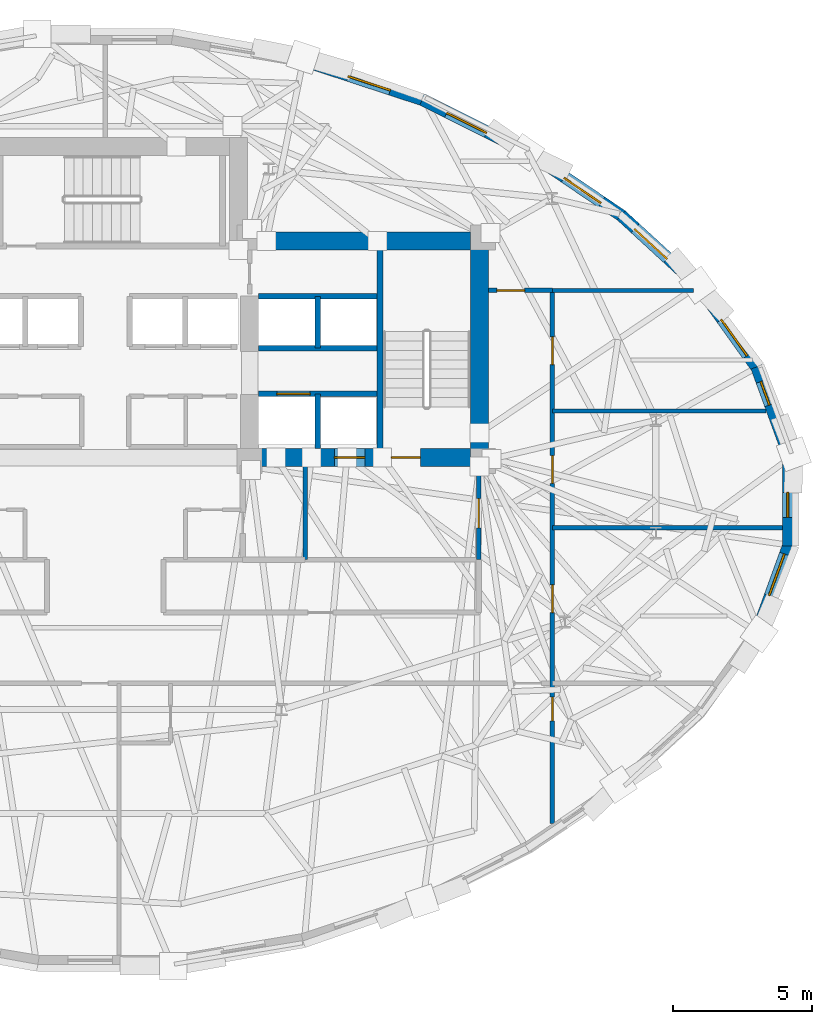
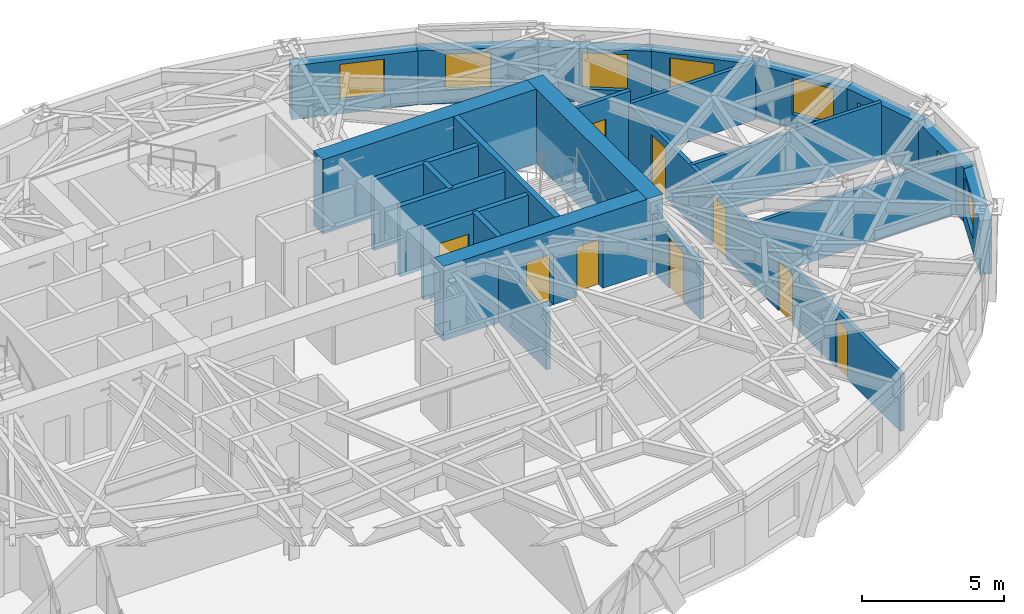
# One storey, part 9 of 14: 24 walls, 9 doors, 8 windows, 17 openings.
"""IFC4 building model written with IfcOpenShell, lengths in metres."""

from ifc_helpers import new_model, si_unit, direction, frame, frame_2d, origin, place, context, subcontext, project, spatial, rectangle, extrude, material, layer, layer_set, type_object, element, fill, save


model = new_model("IFC4")

# Units and contexts
model_context = context("Model", 3, precision=1e-05, world=origin(), true_north=direction((0.0, 1.0)))
body_context = subcontext(model_context, "Body", "Model", "MODEL_VIEW")
ifc_project = project(units=[si_unit("LENGTHUNIT", "METRE"), si_unit("AREAUNIT", "SQUARE_METRE"), si_unit("VOLUMEUNIT", "CUBIC_METRE"), si_unit("PLANEANGLEUNIT", "RADIAN"), si_unit("MASSUNIT", "GRAM", prefix="KILO")], contexts=[model_context])

# Site, building, storey
site_placement = place(None, origin())
site = spatial("IfcSite", under=ifc_project, at=site_placement, CompositionType="ELEMENT")
building_placement = place(site_placement, origin())
building = spatial("IfcBuilding", under=site, at=building_placement, Name="Keldmark Tower", CompositionType="ELEMENT")
storey_placement = place(building_placement, frame((0.0, 0.0, 172.60009765625)))
storey = spatial("IfcBuildingStorey", under=building, at=storey_placement, Name="L47", CompositionType="ELEMENT", Elevation=172.60009765625)

# Wall
ifc_material_1 = material(Name="Type X Fire-Rated Gypsum Partition Assembly", Category="gypsum")
ifc_layer_1 = layer(ifc_material_1, 0.1650390625)
ifc_layer_set_1 = layer_set([ifc_layer_1], Name="Type X Fire-Rated Gypsum Partition Assembly")
wall_type_1 = type_object("IfcWallType", Name="Rated Partition 165 mm", PredefinedType="PARTITIONING", material=ifc_layer_set_1)
wall_1_placement = place(storey_placement, frame((7.199951171875, -2.14990234375, 0.0), z_axis=(0.0, 0.0, 1.0), x_axis=(0.0, 1.0, 0.0)))
element("IfcWall", 1, at=wall_1_placement, inside=storey, type_object=wall_type_1, Name="L47 Rated Partition 165 mm FSAE-E-W", PredefinedType="PARTITIONING", context=body_context, shape_type="SweptSolid", body=[
    extrude(rectangle(XDim=3.39990234375, YDim=0.1650390625, at=frame_2d((1.699951171875, 0.0))), origin(), (0.0, 0.0, 1.0), 2.472900390625),
])

# Wall, opening, door
wall_2_placement = place(storey_placement, frame((13.449951171875, -2.14990234375, 0.0), z_axis=(0.0, 0.0, 1.0), x_axis=(0.0, 1.0, 0.0)))
wall_2 = element("IfcWall", 2, at=wall_2_placement, inside=storey, type_object=wall_type_1, Name="L47 Rated Partition 165 mm FSAE-E-E", PredefinedType="PARTITIONING", context=body_context, shape_type="SweptSolid", body=[
    extrude(rectangle(XDim=3.39990234375, YDim=0.1650390625, at=frame_2d((1.699951171875, 0.0))), origin(), (0.0, 0.0, 1.0), 2.472900390625),
])
opening_1_placement = place(wall_2_placement, frame((1.14990234375, 0.0, 0.0)))
opening_1 = element("IfcOpeningElement", 3, at=opening_1_placement, cuts=wall_2, Name="Opening D-FL105", PredefinedType="OPENING", context=body_context, shape_type="SweptSolid", body=[
    extrude(rectangle(XDim=1.050048828125, YDim=2.14990234375, at=frame_2d((0.52490234375, 1.074951171875))), frame((0.0, 0.092529296875, 0.0), z_axis=(0.0, -1.0, 0.0), x_axis=(1.0, 0.0, 0.0)), (0.0, 0.0, 1.0), 0.18505859375),
])
ifc_material_2 = material(Name="Fire-Rated Mineral-Core Door and Vision Lite", Category="metal")
door_type_1 = type_object("IfcDoorType", Name="Fire Lobby Door 1050x2150", OperationType="NOTDEFINED", PredefinedType="DOOR", material=ifc_material_2)
door_1_placement = place(opening_1_placement, origin())
door_1 = element("IfcDoor", 4, at=door_1_placement, inside=storey, type_object=door_type_1, Name="L47 Fire Lobby Door 1050x2150 D-FSAEE-OUT-L47", OperationType="SINGLE_SWING_LEFT", OverallHeight=2.14990234375, OverallWidth=1.050048828125, PredefinedType="DOOR", context=body_context, shape_type="SweptSolid", body=[
    extrude(rectangle(XDim=1.050048828125, YDim=2.14990234375, at=frame_2d((0.52490234375, 1.074951171875))), frame((0.0, 0.02490234375, 0.0), z_axis=(0.0, -1.0, 0.0), x_axis=(1.0, 0.0, 0.0)), (0.0, 0.0, 1.0), 0.050048828125),
])
fill(opening_1, door_1)

# Wall, openings, doors
wall_3_placement = place(storey_placement, frame((16.10009765625, -11.6552734375, 0.0), z_axis=(0.0, 0.0, 1.0), x_axis=(0.0, 1.0, 0.0)))
wall_3 = element("IfcWall", 5, at=wall_3_placement, inside=storey, type_object=wall_type_1, Name="L47 Rated Partition 165 mm HCOR-E", PredefinedType="PARTITIONING", context=body_context, shape_type="SweptSolid", body=[
    extrude(rectangle(XDim=19.205322265625, YDim=0.1650390625, at=frame_2d((9.6025390625, 0.0))), origin(), (0.0, 0.0, 1.0), 2.472900390625),
])
opening_2_placement = place(wall_3_placement, frame((3.70556640625, 0.0, 0.0)))
opening_2 = element("IfcOpeningElement", 6, at=opening_2_placement, cuts=wall_3, Name="Opening D-IN085", PredefinedType="OPENING", context=body_context, shape_type="SweptSolid", body=[
    extrude(rectangle(XDim=0.85009765625, YDim=2.10009765625, at=frame_2d((0.425048828125, 1.050048828125))), frame((0.0, 0.092529296875, 0.0), z_axis=(0.0, -1.0, 0.0), x_axis=(1.0, 0.0, 0.0)), (0.0, 0.0, 1.0), 0.18505859375),
])
opening_3_placement = place(wall_3_placement, frame((7.595703125, 0.0, 0.0)))
opening_3 = element("IfcOpeningElement", 7, at=opening_3_placement, cuts=wall_3, Name="Opening D-FD100", PredefinedType="OPENING", context=body_context, shape_type="SweptSolid", body=[
    extrude(rectangle(XDim=1.0, YDim=2.14990234375, at=frame_2d((0.5, 1.074951171875))), frame((0.0, 0.092529296875, 0.0), z_axis=(0.0, -1.0, 0.0), x_axis=(1.0, 0.0, 0.0)), (0.0, 0.0, 1.0), 0.18505859375),
])
opening_4_placement = place(wall_3_placement, frame((12.255615234375, 0.0, 0.0)))
opening_4 = element("IfcOpeningElement", 8, at=opening_4_placement, cuts=wall_3, Name="Opening D-FD100", PredefinedType="OPENING", context=body_context, shape_type="SweptSolid", body=[
    extrude(rectangle(XDim=1.0, YDim=2.14990234375, at=frame_2d((0.5, 1.074951171875))), frame((0.0, 0.092529296875, 0.0), z_axis=(0.0, -1.0, 0.0), x_axis=(1.0, 0.0, 0.0)), (0.0, 0.0, 1.0), 0.18505859375),
])
opening_5_placement = place(wall_3_placement, frame((16.530517578125, 0.0, 0.0)))
opening_5 = element("IfcOpeningElement", 9, at=opening_5_placement, cuts=wall_3, Name="Opening D-FD100", PredefinedType="OPENING", context=body_context, shape_type="SweptSolid", body=[
    extrude(rectangle(XDim=1.0, YDim=2.14990234375, at=frame_2d((0.5, 1.074951171875))), frame((0.0, 0.092529296875, 0.0), z_axis=(0.0, -1.0, 0.0), x_axis=(1.0, 0.0, 0.0)), (0.0, 0.0, 1.0), 0.18505859375),
])
ifc_material_3 = material(Name="Hollow Metal Fire-Rated Corridor Door", Category="metal")
door_type_2 = type_object("IfcDoorType", Name="Fire Door 1000x2150", OperationType="NOTDEFINED", PredefinedType="DOOR", material=ifc_material_3)
door_2_placement = place(opening_3_placement, origin())
door_2 = element("IfcDoor", 10, at=door_2_placement, inside=storey, type_object=door_type_2, Name="L47 Fire Door 1000x2150 D-HESP-1-L47", OperationType="SINGLE_SWING_RIGHT", OverallHeight=2.14990234375, OverallWidth=1.0, PredefinedType="DOOR", context=body_context, shape_type="SweptSolid", body=[
    extrude(rectangle(XDim=1.0, YDim=2.14990234375, at=frame_2d((0.5, 1.074951171875))), frame((0.0, 0.02490234375, 0.0), z_axis=(0.0, -1.0, 0.0), x_axis=(1.0, 0.0, 0.0)), (0.0, 0.0, 1.0), 0.050048828125),
])
fill(opening_3, door_2)
door_3_placement = place(opening_4_placement, origin())
door_3 = element("IfcDoor", 11, at=door_3_placement, inside=storey, type_object=door_type_2, Name="L47 Fire Door 1000x2150 D-HESP-2-L47", OperationType="SINGLE_SWING_LEFT", OverallHeight=2.14990234375, OverallWidth=1.0, PredefinedType="DOOR", context=body_context, shape_type="SweptSolid", body=[
    extrude(rectangle(XDim=1.0, YDim=2.14990234375, at=frame_2d((0.5, 1.074951171875))), frame((0.0, 0.02490234375, 0.0), z_axis=(0.0, -1.0, 0.0), x_axis=(1.0, 0.0, 0.0)), (0.0, 0.0, 1.0), 0.050048828125),
])
fill(opening_4, door_3)
door_4_placement = place(opening_5_placement, origin())
door_4 = element("IfcDoor", 12, at=door_4_placement, inside=storey, type_object=door_type_2, Name="L47 Fire Door 1000x2150 D-HESP-3-L47", OperationType="SINGLE_SWING_LEFT", OverallHeight=2.14990234375, OverallWidth=1.0, PredefinedType="DOOR", context=body_context, shape_type="SweptSolid", body=[
    extrude(rectangle(XDim=1.0, YDim=2.14990234375, at=frame_2d((0.5, 1.074951171875))), frame((0.0, 0.02490234375, 0.0), z_axis=(0.0, -1.0, 0.0), x_axis=(1.0, 0.0, 0.0)), (0.0, 0.0, 1.0), 0.050048828125),
])
fill(opening_5, door_4)
ifc_material_4 = material(Name="Painted Architectural Wood", Category="wood")
door_type_3 = type_object("IfcDoorType", Name="Interior Door 850x2100", OperationType="NOTDEFINED", PredefinedType="DOOR", material=ifc_material_4)
door_5_placement = place(opening_2_placement, origin())
door_5 = element("IfcDoor", 13, at=door_5_placement, inside=storey, type_object=door_type_3, Name="L47 Interior Door 850x2100 D-HKSE-L47", OperationType="SINGLE_SWING_RIGHT", OverallHeight=2.10009765625, OverallWidth=0.85009765625, PredefinedType="DOOR", context=body_context, shape_type="SweptSolid", body=[
    extrude(rectangle(XDim=0.85009765625, YDim=2.10009765625, at=frame_2d((0.425048828125, 1.050048828125))), frame((0.0, 0.02490234375, 0.0), z_axis=(0.0, -1.0, 0.0), x_axis=(1.0, 0.0, 0.0)), (0.0, 0.0, 1.0), 0.050048828125),
])
fill(opening_2, door_5)

# Wall, opening, door
wall_4_placement = place(storey_placement, frame((13.800048828125, 7.550048828125, 0.0), z_axis=(0.0, 0.0, 1.0), x_axis=(1.0, 0.0, 0.0)))
wall_4 = element("IfcWall", 14, at=wall_4_placement, inside=storey, type_object=wall_type_1, Name="L47 Rated Partition 165 mm HCOR-EN", PredefinedType="PARTITIONING", context=body_context, shape_type="SweptSolid", body=[
    extrude(rectangle(XDim=2.300048828125, YDim=0.1650390625, at=frame_2d((1.14990234375, 0.0))), origin(), (0.0, 0.0, 1.0), 3.02001953125),
])
opening_6_placement = place(wall_4_placement, frame((0.300048828125, 0.0, 0.0)))
opening_6 = element("IfcOpeningElement", 15, at=opening_6_placement, cuts=wall_4, Name="Opening D-FD100", PredefinedType="OPENING", context=body_context, shape_type="SweptSolid", body=[
    extrude(rectangle(XDim=1.0, YDim=2.14990234375, at=frame_2d((0.5, 1.074951171875))), frame((0.0, 0.092529296875, 0.0), z_axis=(0.0, -1.0, 0.0), x_axis=(1.0, 0.0, 0.0)), (0.0, 0.0, 1.0), 0.18505859375),
])
door_6_placement = place(opening_6_placement, origin())
door_6 = element("IfcDoor", 16, at=door_6_placement, inside=storey, type_object=door_type_2, Name="L47 Fire Door 1000x2150 D-HNNE-L47", OperationType="SINGLE_SWING_RIGHT", OverallHeight=2.14990234375, OverallWidth=1.0, PredefinedType="DOOR", context=body_context, shape_type="SweptSolid", body=[
    extrude(rectangle(XDim=1.0, YDim=2.14990234375, at=frame_2d((0.5, 1.074951171875))), frame((0.0, 0.02490234375, 0.0), z_axis=(0.0, -1.0, 0.0), x_axis=(1.0, 0.0, 0.0)), (0.0, 0.0, 1.0), 0.050048828125),
])
fill(opening_6, door_6)

ifc_material_5 = material(Name="Fire-Resistant Type X Gypsum Shaftliner Coreboard", Category="gypsum")
ifc_layer_2 = layer(ifc_material_5, 0.199951171875)
ifc_layer_set_2 = layer_set([ifc_layer_2], Name="Fire-Resistant Type X Gypsum Shaftliner Coreboard")
wall_type_2 = type_object("IfcWallType", Name="Shaft Wall 200 mm", PredefinedType="SOLIDWALL", material=ifc_layer_set_2)
wall_5_placement = place(storey_placement, frame((5.52490234375, 3.820068359375, 0.0), z_axis=(0.0, 0.0, 1.0), x_axis=(1.0, 0.0, 0.0)))
wall_5 = element("IfcWall", 17, at=wall_5_placement, inside=storey, type_object=wall_type_2, Name="L47 Shaft Wall 200 mm HW-E-S", PredefinedType="SOLIDWALL", context=body_context, shape_type="SweptSolid", body=[
    extrude(rectangle(XDim=4.255126953125, YDim=0.199951171875, at=frame_2d((2.12744140625, 0.0))), origin(), (0.0, 0.0, 1.0), 3.02001953125),
])
opening_7_placement = place(wall_5_placement, frame((0.64990234375, 0.0, 0.0)))
opening_7 = element("IfcOpeningElement", 18, at=opening_7_placement, cuts=wall_5, Name="Opening LD-120", PredefinedType="OPENING", context=body_context, shape_type="SweptSolid", body=[
    extrude(rectangle(XDim=1.199951171875, YDim=2.199951171875, at=frame_2d((0.60009765625, 1.10009765625))), frame((0.0, 0.10986328125, 0.0), z_axis=(0.0, -1.0, 0.0), x_axis=(1.0, 0.0, 0.0)), (0.0, 0.0, 1.0), 0.219970703125),
])
ifc_material_6 = material(Name="Heavy-Duty Brushed Metal Hoistway Sliding Leaf", Category="metal")
door_type_4 = type_object("IfcDoorType", Name="Service Lift Sliding Door 1200x2200", OperationType="SLIDING_TO_RIGHT", PredefinedType="DOOR", material=ifc_material_6)
door_7_placement = place(opening_7_placement, origin())
door_7 = element("IfcDoor", 19, at=door_7_placement, inside=storey, type_object=door_type_4, Name="L47 Service Lift Sliding Door 1200x2200 LD-EL-SV1-L47", OperationType="SLIDING_TO_RIGHT", OverallHeight=2.199951171875, OverallWidth=1.199951171875, PredefinedType="DOOR", context=body_context, shape_type="SweptSolid", body=[
    extrude(rectangle(XDim=1.199951171875, YDim=2.199951171875, at=frame_2d((0.60009765625, 1.10009765625))), frame((0.0, 0.02490234375, 0.0), z_axis=(0.0, -1.0, 0.0), x_axis=(1.0, 0.0, 0.0)), (0.0, 0.0, 1.0), 0.050048828125),
])
fill(opening_7, door_7)

# Walls
wall_6_placement = place(storey_placement, frame((7.64990234375, 1.85009765625, 0.0), z_axis=(0.0, 0.0, 1.0), x_axis=(0.0, 1.0, 0.0)))
element("IfcWall", 20, at=wall_6_placement, inside=storey, type_object=wall_type_2, Name="L47 Shaft Wall 200 mm HW-E-M", PredefinedType="SOLIDWALL", context=body_context, shape_type="SweptSolid", body=[
    extrude(rectangle(XDim=1.969970703125, YDim=0.199951171875, at=frame_2d((0.98486328125, 0.0))), origin(), (0.0, 0.0, 1.0), 3.02001953125),
])
for number, where, z_axis, x_axis, name in (
    (21, (5.52490234375, 5.469970703125, 0.0), (0.0, 0.0, 1.0), (1.0, 0.0, 0.0), "L47 Shaft Wall 200 mm HW-E-N"),
    (22, (5.52490234375, 7.330078125, 0.0), (0.0, 0.0, 1.0), (1.0, 0.0, 0.0), "L47 Shaft Wall 200 mm HW-E-TOP"),
):
    element("IfcWall", number, at=place(storey_placement, frame(where, z_axis=z_axis, x_axis=x_axis)), inside=storey, type_object=wall_type_2, Name=name, PredefinedType="SOLIDWALL", context=body_context, shape_type="SweptSolid", body=[
        extrude(rectangle(XDim=4.255126953125, YDim=0.199951171875, at=frame_2d((2.12744140625, 0.0))), origin(), (0.0, 0.0, 1.0), 3.02001953125),
    ])
wall_7_placement = place(storey_placement, frame((7.64990234375, 5.469970703125, 0.0), z_axis=(0.0, 0.0, 1.0), x_axis=(0.0, 1.0, 0.0)))
element("IfcWall", 23, at=wall_7_placement, inside=storey, type_object=wall_type_2, Name="L47 Shaft Wall 200 mm HW-E-NM", PredefinedType="SOLIDWALL", context=body_context, shape_type="SweptSolid", body=[
    extrude(rectangle(XDim=1.860107421875, YDim=0.199951171875, at=frame_2d((0.93017578125, 0.0))), origin(), (0.0, 0.0, 1.0), 3.02001953125),
])
ifc_material_7 = material(Name="Concrete C50/60", Category="concrete")
ifc_layer_3 = layer(ifc_material_7, 0.219970703125)
ifc_layer_set_3 = layer_set([ifc_layer_3], Name="Concrete C50/60")
wall_type_3 = type_object("IfcWallType", Name="Stair Core Shear Wall 220 mm", PredefinedType="SHEAR", material=ifc_layer_set_3)
wall_8_placement = place(storey_placement, frame((9.889892578125, 1.85009765625, 0.0), z_axis=(0.0, 0.0, 1.0), x_axis=(0.0, 1.0, 0.0)))
element("IfcWall", 24, at=wall_8_placement, inside=storey, type_object=wall_type_3, Name="L47 East Stair Core Shear Wall", PredefinedType="SHEAR", context=body_context, shape_type="SweptSolid", body=[
    extrude(rectangle(XDim=7.14990234375, YDim=0.219970703125, at=frame_2d((3.574951171875, 0.0))), origin(), (0.0, 0.0, 1.0), 3.199951171875),
])

# Wall, opening, window
ifc_material_8 = material(Name="Ironspot Manganese Brick and Kasota Buff Limestone Spandrel Assembly", Category="masonry")
ifc_layer_4 = layer(ifc_material_8, 0.43994140625)
ifc_layer_set_4 = layer_set([ifc_layer_4], Name="Ironspot Manganese Brick and Kasota Buff Limestone Spandrel Assembly")
wall_type_4 = type_object("IfcWallType", Name="Tower Brick Pier and Spandrel Wall 440 mm", PredefinedType="STANDARD", material=ifc_layer_set_4)
wall_9_placement = place(storey_placement, frame((23.458984375, 4.791259765625, 0.0), z_axis=(0.0, 0.0, 1.0), x_axis=(0.341938259916, -0.93972241987, 0.0)))
wall_9 = element("IfcWall", 25, at=wall_9_placement, inside=storey, type_object=wall_type_4, Name="L47 Exterior Brick and Spandrel Wall 01", PredefinedType="STANDARD", context=body_context, shape_type="SweptSolid", body=[
    extrude(rectangle(XDim=3.414306640625, YDim=0.43994140625, at=frame_2d((1.70703125, 0.0))), origin(), (0.0, 0.0, 1.0), 2.31494140625),
])
opening_8_placement = place(wall_9_placement, frame((0.544189453125, 0.0, 0.580078125)))
opening_8 = element("IfcOpeningElement", 26, at=opening_8_placement, cuts=wall_9, Name="Opening W-09", PredefinedType="OPENING", context=body_context, shape_type="SweptSolid", body=[
    extrude(rectangle(XDim=0.89990234375, YDim=1.35009765625, at=frame_2d((0.449951171875, 0.675048828125))), frame((0.0, 0.22998046875, 0.0), z_axis=(0.0, -1.0, 0.0), x_axis=(1.0, 0.0, 0.0)), (0.0, 0.0, 1.0), 0.4599609375),
])
ifc_material_9 = material(Name="Thermally Broken Anodized Aluminum and Triple Low-E Argon Glazing", Category="aluminium")
window_type_1 = type_object("IfcWindowType", Name="Corner Pier Deep-Set Window 900x1350", PartitioningType="SINGLE_PANEL", PredefinedType="WINDOW", material=ifc_material_9)
window_1_placement = place(opening_8_placement, origin())
window_1 = element("IfcWindow", 27, at=window_1_placement, inside=storey, type_object=window_type_1, Name="L47 Deep-Set Window 01", OverallHeight=1.35009765625, OverallWidth=0.89990234375, PartitioningType="SINGLE_PANEL", PredefinedType="WINDOW", context=body_context, shape_type="SweptSolid", body=[
    extrude(rectangle(XDim=0.89990234375, YDim=1.35009765625, at=frame_2d((0.449951171875, 0.675048828125))), frame((0.0, -0.010009765625, 0.0), z_axis=(0.0, -1.0, 0.0), x_axis=(1.0, 0.0, 0.0)), (0.0, 0.0, 1.0), 0.06005859375),
])
fill(opening_8, window_1)

wall_10_placement = place(storey_placement, frame((21.38037109375, 7.683837890625, 0.0), z_axis=(0.0, 0.0, 1.0), x_axis=(0.581678195571, -0.813419004448, 0.0)))
wall_10 = element("IfcWall", 28, at=wall_10_placement, inside=storey, type_object=wall_type_4, Name="L47 Exterior Brick and Spandrel Wall 02", PredefinedType="STANDARD", context=body_context, shape_type="SweptSolid", body=[
    extrude(rectangle(XDim=3.620849609375, YDim=0.43994140625, at=frame_2d((1.810546875, 0.0))), origin(), (0.0, 0.0, 1.0), 2.31494140625),
])
opening_9_placement = place(wall_10_placement, frame((1.427978515625, 0.0, 0.580078125)))
opening_9 = element("IfcOpeningElement", 29, at=opening_9_placement, cuts=wall_10, Name="Opening W-04", PredefinedType="OPENING", context=body_context, shape_type="SweptSolid", body=[
    extrude(rectangle(XDim=1.60009765625, YDim=1.550048828125, at=frame_2d((0.800048828125, 0.77490234375))), frame((0.0, 0.22998046875, 0.0), z_axis=(0.0, -1.0, 0.0), x_axis=(1.0, 0.0, 0.0)), (0.0, 0.0, 1.0), 0.4599609375),
])
ifc_material_10 = material(Name="Thermally Broken Anodized Aluminum and Triple Low-E Argon Glazing", Category="aluminium")
window_type_2 = type_object("IfcWindowType", Name="Hotel Deep-Set Operable Window 1600x1550", PartitioningType="DOUBLE_PANEL_HORIZONTAL", PredefinedType="WINDOW", material=ifc_material_10)
window_2_placement = place(opening_9_placement, origin())
window_2 = element("IfcWindow", 30, at=window_2_placement, inside=storey, type_object=window_type_2, Name="L47 Deep-Set Window 02", OverallHeight=1.550048828125, OverallWidth=1.60009765625, PartitioningType="SINGLE_PANEL", PredefinedType="WINDOW", context=body_context, shape_type="SweptSolid", body=[
    extrude(rectangle(XDim=1.60009765625, YDim=1.550048828125, at=frame_2d((0.800048828125, 0.77490234375))), frame((0.0, -0.010009765625, 0.0), z_axis=(0.0, -1.0, 0.0), x_axis=(1.0, 0.0, 0.0)), (0.0, 0.0, 1.0), 0.06005859375),
])
fill(opening_9, window_2)

wall_11_placement = place(storey_placement, frame((18.57568359375, 10.255126953125, 0.0), z_axis=(0.0, 0.0, 1.0), x_axis=(0.736282263947, -0.676674536093, 0.0)))
wall_11 = element("IfcWall", 31, at=wall_11_placement, inside=storey, type_object=wall_type_4, Name="L47 Exterior Brick and Spandrel Wall 03", PredefinedType="STANDARD", context=body_context, shape_type="SweptSolid", body=[
    extrude(rectangle(XDim=3.85009765625, YDim=0.43994140625, at=frame_2d((1.925048828125, 0.0))), origin(), (0.0, 0.0, 1.0), 2.31494140625),
])
opening_10_placement = place(wall_11_placement, frame((0.68701171875, 0.0, 0.580078125)))
opening_10 = element("IfcOpeningElement", 32, at=opening_10_placement, cuts=wall_11, Name="Opening W-04", PredefinedType="OPENING", context=body_context, shape_type="SweptSolid", body=[
    extrude(rectangle(XDim=1.60009765625, YDim=1.550048828125, at=frame_2d((0.800048828125, 0.77490234375))), frame((0.0, 0.22998046875, 0.0), z_axis=(0.0, -1.0, 0.0), x_axis=(1.0, 0.0, 0.0)), (0.0, 0.0, 1.0), 0.4599609375),
])
window_3_placement = place(opening_10_placement, origin())
window_3 = element("IfcWindow", 33, at=window_3_placement, inside=storey, type_object=window_type_2, Name="L47 Deep-Set Window 03", OverallHeight=1.550048828125, OverallWidth=1.60009765625, PartitioningType="SINGLE_PANEL", PredefinedType="WINDOW", context=body_context, shape_type="SweptSolid", body=[
    extrude(rectangle(XDim=1.60009765625, YDim=1.550048828125, at=frame_2d((0.800048828125, 0.77490234375))), frame((0.0, -0.010009765625, 0.0), z_axis=(0.0, -1.0, 0.0), x_axis=(1.0, 0.0, 0.0)), (0.0, 0.0, 1.0), 0.06005859375),
])
fill(opening_10, window_3)

wall_12_placement = place(storey_placement, frame((15.243408203125, 12.51123046875, 0.0), z_axis=(0.0, 0.0, 1.0), x_axis=(0.827757295322, -0.561086321382, 0.0)))
wall_12 = element("IfcWall", 34, at=wall_12_placement, inside=storey, type_object=wall_type_4, Name="L47 Exterior Brick and Spandrel Wall 04", PredefinedType="STANDARD", context=body_context, shape_type="SweptSolid", body=[
    extrude(rectangle(XDim=4.056640625, YDim=0.43994140625, at=frame_2d((2.0283203125, 0.0))), origin(), (0.0, 0.0, 1.0), 2.31494140625),
])
opening_11_placement = place(wall_12_placement, frame((1.571044921875, 0.0, 0.580078125)))
opening_11 = element("IfcOpeningElement", 35, at=opening_11_placement, cuts=wall_12, Name="Opening W-04", PredefinedType="OPENING", context=body_context, shape_type="SweptSolid", body=[
    extrude(rectangle(XDim=1.60009765625, YDim=1.550048828125, at=frame_2d((0.800048828125, 0.77490234375))), frame((0.0, 0.22998046875, 0.0), z_axis=(0.0, -1.0, 0.0), x_axis=(1.0, 0.0, 0.0)), (0.0, 0.0, 1.0), 0.4599609375),
])
window_4_placement = place(opening_11_placement, origin())
window_4 = element("IfcWindow", 36, at=window_4_placement, inside=storey, type_object=window_type_2, Name="L47 Deep-Set Window 04", OverallHeight=1.550048828125, OverallWidth=1.60009765625, PartitioningType="SINGLE_PANEL", PredefinedType="WINDOW", context=body_context, shape_type="SweptSolid", body=[
    extrude(rectangle(XDim=1.60009765625, YDim=1.550048828125, at=frame_2d((0.800048828125, 0.77490234375))), frame((0.0, -0.010009765625, 0.0), z_axis=(0.0, -1.0, 0.0), x_axis=(1.0, 0.0, 0.0)), (0.0, 0.0, 1.0), 0.06005859375),
])
fill(opening_11, window_4)

wall_13_placement = place(storey_placement, frame((11.42529296875, 14.418212890625, 0.0), z_axis=(0.0, 0.0, 1.0), x_axis=(0.894427191, -0.4472135955, 0.0)))
wall_13 = element("IfcWall", 37, at=wall_13_placement, inside=storey, type_object=wall_type_4, Name="L47 Exterior Brick and Spandrel Wall 05", PredefinedType="STANDARD", context=body_context, shape_type="SweptSolid", body=[
    extrude(rectangle(XDim=4.296875, YDim=0.43994140625, at=frame_2d((2.1484375, 0.0))), origin(), (0.0, 0.0, 1.0), 2.31494140625),
])
opening_12_placement = place(wall_13_placement, frame((0.998779296875, 0.0, 0.580078125)))
opening_12 = element("IfcOpeningElement", 38, at=opening_12_placement, cuts=wall_13, Name="Opening W-04", PredefinedType="OPENING", context=body_context, shape_type="SweptSolid", body=[
    extrude(rectangle(XDim=1.60009765625, YDim=1.550048828125, at=frame_2d((0.800048828125, 0.77490234375))), frame((0.0, 0.22998046875, 0.0), z_axis=(0.0, -1.0, 0.0), x_axis=(1.0, 0.0, 0.0)), (0.0, 0.0, 1.0), 0.4599609375),
])
window_5_placement = place(opening_12_placement, origin())
window_5 = element("IfcWindow", 39, at=window_5_placement, inside=storey, type_object=window_type_2, Name="L47 Deep-Set Window 05", OverallHeight=1.550048828125, OverallWidth=1.60009765625, PartitioningType="SINGLE_PANEL", PredefinedType="WINDOW", context=body_context, shape_type="SweptSolid", body=[
    extrude(rectangle(XDim=1.60009765625, YDim=1.550048828125, at=frame_2d((0.800048828125, 0.77490234375))), frame((0.0, -0.010009765625, 0.0), z_axis=(0.0, -1.0, 0.0), x_axis=(1.0, 0.0, 0.0)), (0.0, 0.0, 1.0), 0.06005859375),
])
fill(opening_12, window_5)

wall_14_placement = place(storey_placement, frame((7.110107421875, 15.833740234375, 0.0), z_axis=(0.0, 0.0, 1.0), x_axis=(0.950025190485, -0.312173249084, 0.0)))
wall_14 = element("IfcWall", 40, at=wall_14_placement, inside=storey, type_object=wall_type_4, Name="L47 Exterior Brick and Spandrel Wall 06", PredefinedType="STANDARD", context=body_context, shape_type="SweptSolid", body=[
    extrude(rectangle(XDim=4.573486328125, YDim=0.43994140625, at=frame_2d((2.28662109375, 0.0))), origin(), (0.0, 0.0, 1.0), 2.31494140625),
])
opening_13_placement = place(wall_14_placement, frame((1.734130859375, 0.0, 0.580078125)))
opening_13 = element("IfcOpeningElement", 41, at=opening_13_placement, cuts=wall_14, Name="Opening W-04", PredefinedType="OPENING", context=body_context, shape_type="SweptSolid", body=[
    extrude(rectangle(XDim=1.60009765625, YDim=1.550048828125, at=frame_2d((0.800048828125, 0.77490234375))), frame((0.0, 0.22998046875, 0.0), z_axis=(0.0, -1.0, 0.0), x_axis=(1.0, 0.0, 0.0)), (0.0, 0.0, 1.0), 0.4599609375),
])
window_6_placement = place(opening_13_placement, origin())
window_6 = element("IfcWindow", 42, at=window_6_placement, inside=storey, type_object=window_type_2, Name="L47 Deep-Set Window 06", OverallHeight=1.550048828125, OverallWidth=1.60009765625, PartitioningType="SINGLE_PANEL", PredefinedType="WINDOW", context=body_context, shape_type="SweptSolid", body=[
    extrude(rectangle(XDim=1.60009765625, YDim=1.550048828125, at=frame_2d((0.800048828125, 0.77490234375))), frame((0.0, -0.010009765625, 0.0), z_axis=(0.0, -1.0, 0.0), x_axis=(1.0, 0.0, 0.0)), (0.0, 0.0, 1.0), 0.06005859375),
])
fill(opening_13, window_6)

wall_15_placement = place(storey_placement, frame((24.62646484375, -1.582763671875, 0.0), z_axis=(0.0, 0.0, 1.0), x_axis=(-0.341938259916, -0.93972241987, 0.0)))
wall_15 = element("IfcWall", 43, at=wall_15_placement, inside=storey, type_object=wall_type_4, Name="L47 Exterior Brick and Spandrel Wall 31", PredefinedType="STANDARD", context=body_context, shape_type="SweptSolid", body=[
    extrude(rectangle(XDim=3.414306640625, YDim=0.43994140625, at=frame_2d((1.70703125, 0.0))), origin(), (0.0, 0.0, 1.0), 2.31494140625),
])
opening_14_placement = place(wall_15_placement, frame((0.39501953125, 0.0, 0.580078125)))
opening_14 = element("IfcOpeningElement", 44, at=opening_14_placement, cuts=wall_15, Name="Opening W-04", PredefinedType="OPENING", context=body_context, shape_type="SweptSolid", body=[
    extrude(rectangle(XDim=1.60009765625, YDim=1.550048828125, at=frame_2d((0.800048828125, 0.77490234375))), frame((0.0, 0.22998046875, 0.0), z_axis=(0.0, -1.0, 0.0), x_axis=(1.0, 0.0, 0.0)), (0.0, 0.0, 1.0), 0.4599609375),
])
window_7_placement = place(opening_14_placement, origin())
window_7 = element("IfcWindow", 45, at=window_7_placement, inside=storey, type_object=window_type_2, Name="L47 Deep-Set Window 31", OverallHeight=1.550048828125, OverallWidth=1.60009765625, PartitioningType="SINGLE_PANEL", PredefinedType="WINDOW", context=body_context, shape_type="SweptSolid", body=[
    extrude(rectangle(XDim=1.60009765625, YDim=1.550048828125, at=frame_2d((0.800048828125, 0.77490234375))), frame((0.0, -0.010009765625, 0.0), z_axis=(0.0, -1.0, 0.0), x_axis=(1.0, 0.0, 0.0)), (0.0, 0.0, 1.0), 0.06005859375),
])
fill(opening_14, window_7)

wall_16_placement = place(storey_placement, frame((24.61328125, 1.657958984375, 0.0), z_axis=(0.0, 0.0, 1.0), x_axis=(0.0, -1.0, 0.0)))
wall_16 = element("IfcWall", 46, at=wall_16_placement, inside=storey, type_object=wall_type_4, Name="L47 Exterior Brick and Spandrel Wall 32", PredefinedType="STANDARD", context=body_context, shape_type="SweptSolid", body=[
    extrude(rectangle(XDim=3.31591796875, YDim=0.43994140625, at=frame_2d((1.657958984375, 0.0))), origin(), (0.0, 0.0, 1.0), 2.31494140625),
])
opening_15_placement = place(wall_16_placement, frame((1.380126953125, 0.0, 0.580078125)))
opening_15 = element("IfcOpeningElement", 47, at=opening_15_placement, cuts=wall_16, Name="Opening W-09", PredefinedType="OPENING", context=body_context, shape_type="SweptSolid", body=[
    extrude(rectangle(XDim=0.89990234375, YDim=1.35009765625, at=frame_2d((0.449951171875, 0.675048828125))), frame((0.0, 0.22998046875, 0.0), z_axis=(0.0, -1.0, 0.0), x_axis=(1.0, 0.0, 0.0)), (0.0, 0.0, 1.0), 0.4599609375),
])
window_8_placement = place(opening_15_placement, origin())
window_8 = element("IfcWindow", 48, at=window_8_placement, inside=storey, type_object=window_type_1, Name="L47 Deep-Set Window 32", OverallHeight=1.35009765625, OverallWidth=0.89990234375, PartitioningType="SINGLE_PANEL", PredefinedType="WINDOW", context=body_context, shape_type="SweptSolid", body=[
    extrude(rectangle(XDim=0.89990234375, YDim=1.35009765625, at=frame_2d((0.449951171875, 0.675048828125))), frame((0.0, -0.010009765625, 0.0), z_axis=(0.0, -1.0, 0.0), x_axis=(1.0, 0.0, 0.0)), (0.0, 0.0, 1.0), 0.06005859375),
])
fill(opening_15, window_8)

# Walls
ifc_material_11 = material(Name="Concrete C50/60", Category="concrete")
ifc_layer_5 = layer(ifc_material_11, 0.64990234375)
ifc_layer_set_5 = layer_set([ifc_layer_5], Name="Concrete C50/60")
wall_type_5 = type_object("IfcWallType", Name="Upper-Mid Core Shear Wall 650 mm", PredefinedType="SHEAR", material=ifc_layer_set_5)
wall_17_placement = place(storey_placement, frame((13.47509765625, 1.199951171875, 0.0), z_axis=(0.0, 0.0, 1.0), x_axis=(0.0, 1.0, 0.0)))
element("IfcWall", 49, at=wall_17_placement, inside=storey, type_object=wall_type_5, Name="L47 East Core Outer Shear Wall", PredefinedType="SHEAR", context=body_context, shape_type="SweptSolid", body=[
    extrude(rectangle(XDim=8.449951171875, YDim=0.64990234375, at=frame_2d((4.22509765625, 0.0))), origin(), (0.0, 0.0, 1.0), 3.199951171875),
])
wall_18_placement = place(storey_placement, frame((4.47509765625, 9.324951171875, 0.0), z_axis=(0.0, 0.0, 1.0), x_axis=(1.0, 0.0, 0.0)))
element("IfcWall", 50, at=wall_18_placement, inside=storey, type_object=wall_type_5, Name="L47 East Core North Shear Wall", PredefinedType="SHEAR", context=body_context, shape_type="SweptSolid", body=[
    extrude(rectangle(XDim=9.324951171875, YDim=0.64990234375, at=frame_2d((4.66259765625, 0.0))), origin(), (0.0, 0.0, 1.0), 3.199951171875),
])

# Wall, openings, doors
wall_19_placement = place(storey_placement, frame((13.800048828125, 1.52490234375, 0.0), z_axis=(0.0, 0.0, 1.0), x_axis=(-1.0, 0.0, 0.0)))
wall_19 = element("IfcWall", 51, at=wall_19_placement, inside=storey, type_object=wall_type_5, Name="L47 East Core South Shear Wall", PredefinedType="SHEAR", context=body_context, shape_type="SweptSolid", body=[
    extrude(rectangle(XDim=8.925048828125, YDim=0.64990234375, at=frame_2d((4.46240234375, 0.0))), origin(), (0.0, 0.0, 1.0), 3.199951171875),
])
opening_16_placement = place(wall_19_placement, frame((2.449951171875, 0.0, 0.0)))
opening_16 = element("IfcOpeningElement", 52, at=opening_16_placement, cuts=wall_19, Name="Opening D-ST105", PredefinedType="OPENING", context=body_context, shape_type="SweptSolid", body=[
    extrude(rectangle(XDim=1.050048828125, YDim=2.14990234375, at=frame_2d((0.52490234375, 1.074951171875))), frame((0.0, 0.3349609375, 0.0), z_axis=(0.0, -1.0, 0.0), x_axis=(1.0, 0.0, 0.0)), (0.0, 0.0, 1.0), 0.669921875),
])
opening_17_placement = place(wall_19_placement, frame((4.449951171875, 0.0, 0.0)))
opening_17 = element("IfcOpeningElement", 53, at=opening_17_placement, cuts=wall_19, Name="Opening LD-110", PredefinedType="OPENING", context=body_context, shape_type="SweptSolid", body=[
    extrude(rectangle(XDim=1.10009765625, YDim=2.199951171875, at=frame_2d((0.550048828125, 1.10009765625))), frame((0.0, 0.3349609375, 0.0), z_axis=(0.0, -1.0, 0.0), x_axis=(1.0, 0.0, 0.0)), (0.0, 0.0, 1.0), 0.669921875),
])
ifc_material_12 = material(Name="Brushed Bronze Hoistway Sliding Leaf", Category="metal")
door_type_5 = type_object("IfcDoorType", Name="Lift Landing Sliding Door 1100x2200", OperationType="SLIDING_TO_LEFT", PredefinedType="DOOR", material=ifc_material_12)
door_8_placement = place(opening_17_placement, origin())
door_8 = element("IfcDoor", 54, at=door_8_placement, inside=storey, type_object=door_type_5, Name="L47 Lift Landing Sliding Door 1100x2200 LD-EL-FS2-L47", OperationType="SLIDING_TO_LEFT", OverallHeight=2.199951171875, OverallWidth=1.10009765625, PredefinedType="DOOR", context=body_context, shape_type="SweptSolid", body=[
    extrude(rectangle(XDim=1.10009765625, YDim=2.199951171875, at=frame_2d((0.550048828125, 1.10009765625))), frame((0.0, 0.02490234375, 0.0), z_axis=(0.0, -1.0, 0.0), x_axis=(1.0, 0.0, 0.0)), (0.0, 0.0, 1.0), 0.050048828125),
])
fill(opening_17, door_8)
ifc_material_13 = material(Name="Hollow Metal Fire-Rated Door Assembly", Category="metal")
door_type_6 = type_object("IfcDoorType", Name="Stair Fire Door 1050x2150", OperationType="NOTDEFINED", PredefinedType="DOOR", material=ifc_material_13)
door_9_placement = place(opening_16_placement, origin())
door_9 = element("IfcDoor", 55, at=door_9_placement, inside=storey, type_object=door_type_6, Name="L47 Stair Fire Door 1050x2150 D-ST2-L47", OperationType="SINGLE_SWING_LEFT", OverallHeight=2.14990234375, OverallWidth=1.050048828125, PredefinedType="DOOR", context=body_context, shape_type="SweptSolid", body=[
    extrude(rectangle(XDim=1.050048828125, YDim=2.14990234375, at=frame_2d((0.52490234375, 1.074951171875))), frame((0.0, 0.02490234375, 0.0), z_axis=(0.0, -1.0, 0.0), x_axis=(1.0, 0.0, 0.0)), (0.0, 0.0, 1.0), 0.050048828125),
])
fill(opening_16, door_9)

# Walls
ifc_material_14 = material(Name="Moisture-Resistant Gypsum Plumbing Partition", Category="gypsum")
ifc_layer_6 = layer(ifc_material_14, 0.14990234375)
ifc_layer_set_6 = layer_set([ifc_layer_6], Name="Moisture-Resistant Gypsum Plumbing Partition")
wall_type_6 = type_object("IfcWallType", Name="Wet Wall 150 mm", PredefinedType="PLUMBINGWALL", material=ifc_layer_set_6)
wall_20_placement = place(storey_placement, frame((16.10009765625, 7.550048828125, 0.0), z_axis=(0.0, 0.0, 1.0), x_axis=(1.0, 0.0, 0.0)))
element("IfcWall", 56, at=wall_20_placement, inside=storey, type_object=wall_type_6, Name="L47 Wet Wall 150 mm HE-CAP-N", PredefinedType="PLUMBINGWALL", context=body_context, shape_type="SweptSolid", body=[
    extrude(rectangle(XDim=5.082275390625, YDim=0.14990234375, at=frame_2d((2.541015625, 0.0))), origin(), (0.0, 0.0, 1.0), 2.472900390625),
])
wall_21_placement = place(storey_placement, frame((16.10009765625, -1.0, 0.0), z_axis=(0.0, 0.0, 1.0), x_axis=(1.0, 0.0, 0.0)))
element("IfcWall", 57, at=wall_21_placement, inside=storey, type_object=wall_type_6, Name="L47 Wet Wall 150 mm HE-DIV-1", PredefinedType="PLUMBINGWALL", context=body_context, shape_type="SweptSolid", body=[
    extrude(rectangle(XDim=8.28515625, YDim=0.14990234375, at=frame_2d((4.142578125, 0.0))), origin(), (0.0, 0.0, 1.0), 2.472900390625),
])
wall_22_placement = place(storey_placement, frame((16.10009765625, 3.199951171875, 0.0), z_axis=(0.0, 0.0, 1.0), x_axis=(1.0, 0.0, 0.0)))
element("IfcWall", 58, at=wall_22_placement, inside=storey, type_object=wall_type_6, Name="L47 Wet Wall 150 mm HE-DIV-2", PredefinedType="PLUMBINGWALL", context=body_context, shape_type="SweptSolid", body=[
    extrude(rectangle(XDim=7.6953125, YDim=0.14990234375, at=frame_2d((3.84765625, 0.0))), origin(), (0.0, 0.0, 1.0), 2.472900390625),
])

save(model, "model.ifc")
